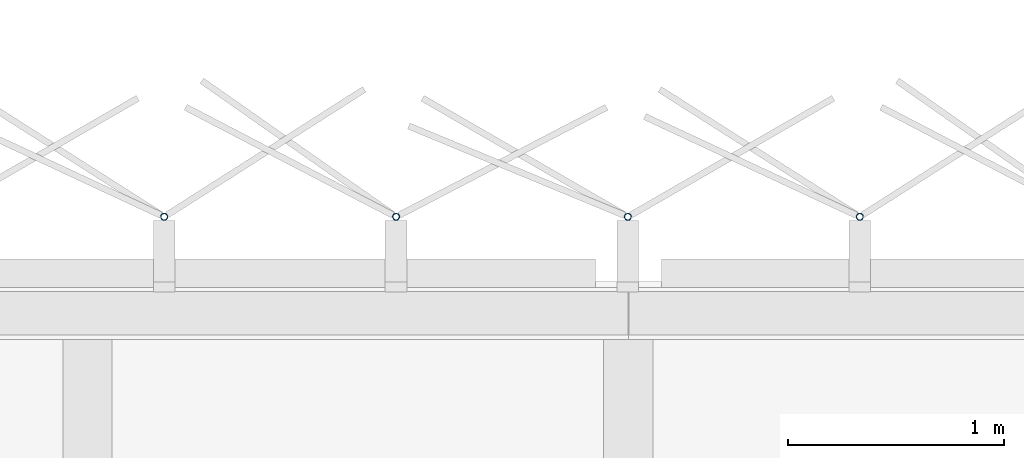
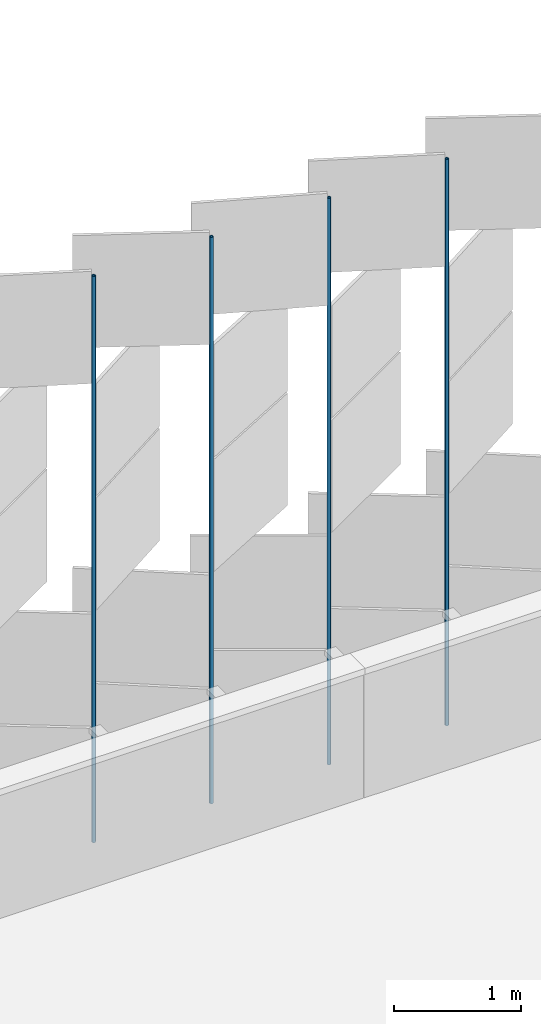
# One storey, part 362 of 483: 4 discrete accessories.
"""IFC4 building model written with IfcOpenShell, lengths in metres."""

import ifcopenshell
import ifcopenshell.guid

model = None  # the IFC model being written
_history = None  # IfcOwnerHistory: only IFC2X3 demands one
_inside = {}  # id of a spatial element -> (the spatial element, [elements in it])
_under = {}  # id of a project, library or spatial element -> (it, [spatial elements below it])
_declared = {}  # id of a project -> (the project, [libraries it declares])
_typed = {}  # id of a type object -> (the type object, [elements of that type])
_made_of = {}  # id of a material, layer set ... -> (it, [elements and type objects made of it])


def new_model(schema):
    """Start an empty IFC model of exactly this schema.

    Asked for "IFC4X3", IfcOpenShell would pick the latest addendum, in which some entities
    have other attributes; the version numbers below select the first issue.
    IFC2X3 requires an IfcOwnerHistory on every rooted entity: one is made here for all.
    """
    global model, _history
    if schema == "IFC4X3":
        model = ifcopenshell.file(schema_version=(4, 3, 0, 0))
    else:
        model = ifcopenshell.file(schema=schema)
    _inside.clear()
    _under.clear()
    _declared.clear()
    _typed.clear()
    _made_of.clear()
    _history = None
    if model.schema == "IFC2X3":
        org = make("IfcOrganization", Name="unknown")
        user = make(
            "IfcPersonAndOrganization",
            ThePerson=make("IfcPerson", FamilyName="unknown"),
            TheOrganization=org,
        )
        app = make(
            "IfcApplication",
            ApplicationDeveloper=org,
            Version="unknown",
            ApplicationFullName="unknown",
            ApplicationIdentifier="unknown",
        )
        _history = make(
            "IfcOwnerHistory",
            OwningUser=user,
            OwningApplication=app,
            ChangeAction="ADDED",
            CreationDate=0,
        )
    return model


def make(cls, **values):
    """One entity of the class cls with the attributes given. An attribute that is None is left unset."""
    return model.create_entity(
        cls, **{name: value for name, value in values.items() if value is not None}
    )


def rooted(cls, **values):
    """An entity with a GlobalId (a new one), such as an element, a storey or a relation."""
    return make(cls, GlobalId=ifcopenshell.guid.new(), OwnerHistory=_history, **values)


def si_unit(unit_type, name, prefix=None):
    """IfcSIUnit, for example si_unit("LENGTHUNIT", "METRE", prefix="MILLI")."""
    return make("IfcSIUnit", UnitType=unit_type, Prefix=prefix, Name=name)


def assignment(units):
    """IfcUnitAssignment: the units of a project."""
    return None if units is None else make("IfcUnitAssignment", Units=units)


def point(xyz):
    """IfcCartesianPoint."""
    return None if xyz is None else make("IfcCartesianPoint", Coordinates=xyz)


def direction(xyz):
    """IfcDirection."""
    return None if xyz is None else make("IfcDirection", DirectionRatios=xyz)


def frame(location, z_axis=None, x_axis=None):
    """IfcAxis2Placement3D, a coordinate frame: its origin and axes. An axis left out is left unset."""
    return make(
        "IfcAxis2Placement3D",
        Location=point(location),
        Axis=direction(z_axis),
        RefDirection=direction(x_axis),
    )


def frame_2d(location, x_axis=None):
    """IfcAxis2Placement2D, a coordinate frame in the plane: its origin and x axis."""
    return make(
        "IfcAxis2Placement2D", Location=point(location), RefDirection=direction(x_axis)
    )


def origin():
    """The frame at (0, 0, 0) with its axes left unset."""
    return frame((0.0, 0.0, 0.0))


def origin_2d():
    """The frame at (0, 0) in the plane with its x axis left unset."""
    return frame_2d((0.0, 0.0))


def place(relative_to, where):
    """IfcLocalPlacement: puts the frame where relative to a parent placement (None: the world)."""
    return make(
        "IfcLocalPlacement", PlacementRelTo=relative_to, RelativePlacement=where
    )


def context(
    kind, dimensions, precision=None, world=None, true_north=None, identifier=None
):
    """IfcGeometricRepresentationContext, for example the 3D "Model" context."""
    return make(
        "IfcGeometricRepresentationContext",
        ContextIdentifier=identifier,
        ContextType=kind,
        CoordinateSpaceDimension=dimensions,
        Precision=precision,
        WorldCoordinateSystem=world,
        TrueNorth=true_north,
    )


def subcontext(parent, identifier, kind, view, scale=None):
    """IfcGeometricRepresentationSubContext, for example "Body" below "Model"."""
    return make(
        "IfcGeometricRepresentationSubContext",
        ContextIdentifier=identifier,
        ContextType=kind,
        ParentContext=parent,
        TargetScale=scale,
        TargetView=view,
    )


def project(units=None, contexts=None):
    """IfcProject with its units and contexts."""
    return rooted(
        "IfcProject",
        Name="project",
        RepresentationContexts=contexts,
        UnitsInContext=assignment(units),
    )


def spatial(cls, under=None, at=None, **own):
    """A site, building, storey or space (cls), placed at a placement, below another one or the project."""
    s = rooted(cls, ObjectPlacement=at, **own)
    if under is not None:
        _under.setdefault(under.id(), (under, []))[1].append(s)
    return s


def profile(cls, at=None, kind="AREA", **sizes):
    """A parametric profile (cls). Its sizes go by their IFC names, for example OverallWidth=200.0."""
    return make(cls, ProfileType=kind, Position=at, **sizes)


def hollow_circle(**sizes):
    """IfcCircleHollowProfileDef."""
    return profile("IfcCircleHollowProfileDef", **sizes)


def extrude(swept, where, along, depth):
    """IfcExtrudedAreaSolid: the profile swept, set in the frame where, extruded along a direction by depth."""
    return make(
        "IfcExtrudedAreaSolid",
        SweptArea=swept,
        Position=where,
        ExtrudedDirection=direction(along),
        Depth=depth,
    )


def shape(context_of_items, identifier, shape_type, items):
    """IfcShapeRepresentation: the items that make up one representation, for example the "Body"."""
    return make(
        "IfcShapeRepresentation",
        ContextOfItems=context_of_items,
        RepresentationIdentifier=identifier,
        RepresentationType=shape_type,
        Items=items,
    )


def material(Name=None, Category=None):
    """IfcMaterial."""
    return make("IfcMaterial", Name=Name, Category=Category)


def material_profile(
    of_material, cross_section, Name=None, Category=None, Priority=None
):
    """IfcMaterialProfile: a cross section and its material."""
    return make(
        "IfcMaterialProfile",
        Name=Name,
        Material=of_material,
        Profile=cross_section,
        Priority=Priority,
        Category=Category,
    )


def profile_set(profiles, Name=None, composite=None):
    """IfcMaterialProfileSet."""
    return make(
        "IfcMaterialProfileSet",
        Name=Name,
        MaterialProfiles=profiles,
        CompositeProfile=composite,
    )


def made_of(thing, what):
    """Note that an element or type object is made of a material, layer set ...; save() writes the relation."""
    if what is not None:
        _made_of.setdefault(what.id(), (what, []))[1].append(thing)
    return thing


def type_object(cls, material=None, **own):
    """A type object (cls), such as IfcWallType, which elements share."""
    return made_of(rooted(cls, **own), material)


def element(
    cls,
    number,
    at=None,
    inside=None,
    cuts=None,
    type_object=None,
    material=None,
    context=None,
    identifier="Body",
    shape_type=None,
    held_by="IfcProductDefinitionShape",
    body=None,
    shapes=None,
    **own,
):
    """One element of the class cls, such as IfcWall. Its Tag is "e" and its number.

    at: its placement. inside: the storey or other place that contains it. cuts: it is an
    opening in that element (IfcRelVoidsElement). A single representation is given by context,
    identifier, shape_type and body (its items); several are given by shapes. held_by: the class
    of the entity that holds the representations. save() writes the other relations.
    """
    e = rooted(cls, Tag="e%d" % number, ObjectPlacement=at, **own)
    if body is not None:
        shapes = [shape(context, identifier, shape_type, body)]
    if shapes is not None:
        e.Representation = make(held_by, Representations=shapes)
    if inside is not None:
        _inside.setdefault(inside.id(), (inside, []))[1].append(e)
    if cuts is not None:
        rooted(
            "IfcRelVoidsElement", RelatingBuildingElement=cuts, RelatedOpeningElement=e
        )
    if type_object is not None:
        _typed.setdefault(type_object.id(), (type_object, []))[1].append(e)
    return made_of(e, material)


def aggregate(whole, parts):
    """IfcRelAggregates: a whole, such as a stair, and the parts it consists of."""
    return rooted("IfcRelAggregates", RelatingObject=whole, RelatedObjects=parts)


def save(model, path):
    """Write the relations noted so far, then the file.

    IfcRelAggregates (storeys below a building ...), IfcRelContainedInSpatialStructure (elements
    in a storey), IfcRelDefinesByType, IfcRelAssociatesMaterial and IfcRelDeclares: one each for
    every whole, place, type object, material and project.
    """
    for whole, parts in _under.values():
        aggregate(whole, parts)
    for where, things in _inside.values():
        rooted(
            "IfcRelContainedInSpatialStructure",
            RelatedElements=things,
            RelatingStructure=where,
        )
    for kind, things in _typed.values():
        rooted("IfcRelDefinesByType", RelatedObjects=things, RelatingType=kind)
    for what, things in _made_of.values():
        rooted("IfcRelAssociatesMaterial", RelatedObjects=things, RelatingMaterial=what)
    for by, libraries in _declared.values():
        rooted("IfcRelDeclares", RelatingContext=by, RelatedDefinitions=libraries)
    model.write(path)


model = new_model("IFC4")

# Units and contexts
model_context = context("Model", 3, precision=1e-05, world=origin(), true_north=direction((0.0, 1.0)))
body_context = subcontext(model_context, "Body", "Model", "MODEL_VIEW")
ifc_project = project(units=[si_unit("LENGTHUNIT", "METRE"), si_unit("AREAUNIT", "SQUARE_METRE"), si_unit("VOLUMEUNIT", "CUBIC_METRE"), si_unit("PLANEANGLEUNIT", "RADIAN"), si_unit("MASSUNIT", "GRAM", prefix="KILO")], contexts=[model_context])

# Site, building, storey
site_placement = place(None, origin())
site = spatial("IfcSite", under=ifc_project, at=site_placement, CompositionType="ELEMENT")
building_placement = place(site_placement, origin())
building = spatial("IfcBuilding", under=site, at=building_placement, Name="Parallax Yard Mobility Hub", CompositionType="ELEMENT")
storey_placement = place(building_placement, frame((0.0, 0.0, 13.199951171875)))
storey = spatial("IfcBuildingStorey", under=building, at=storey_placement, Name="L04", CompositionType="ELEMENT", Elevation=13.199951171875)

# Discrete accessories
ifc_material = material(Name="Steel ASTM A500 Gr C, hot-dip galvanised", Category="steel")
ifc_material_profile = material_profile(ifc_material, hollow_circle(Radius=0.016845703125, WallThickness=0.003173828125, at=origin_2d()), Name="CHS 33.7x3.2")
ifc_profile_set = profile_set([ifc_material_profile], Name="Steel ASTM A500 Gr C, hot-dip galvanised")
discrete_accessory_type = type_object("IfcDiscreteAccessoryType", Name="Hinge post CHS 33.7x3.2", PredefinedType="BRACKET", material=ifc_profile_set)
for number, where, z_axis, x_axis, name in (
    (1, (136.069091796875, 142.800048828125, 0.0), (0.0, 0.0, 1.0), (1.0, 0.0, 0.0), "Hinge post bay 55.7 level L04"),
    (2, (134.997314453125, 142.800048828125, 0.0), (0.0, 0.0, 1.0), (1.0, 0.0, 0.0), "Hinge post bay 56.1 level L04"),
    (3, (133.92578125, 142.800048828125, 0.0), (0.0, 0.0, 1.0), (1.0, 0.0, 0.0), "Hinge post bay 56.2 level L04"),
    (4, (132.854248046875, 142.800048828125, 0.0), (0.0, 0.0, 1.0), (1.0, 0.0, 0.0), "Hinge post bay 56.3 level L04"),
):
    element("IfcDiscreteAccessory", number, at=place(storey_placement, frame(where, z_axis=z_axis, x_axis=x_axis)), inside=storey, type_object=discrete_accessory_type, Name=name, PredefinedType="BRACKET", context=body_context, shape_type="SweptSolid", body=[
        extrude(hollow_circle(Radius=0.016845703125, WallThickness=0.003173828125, at=origin_2d()), origin(), (0.0, 0.0, 1.0), 5.449951171875),
    ])

save(model, "model.ifc")
